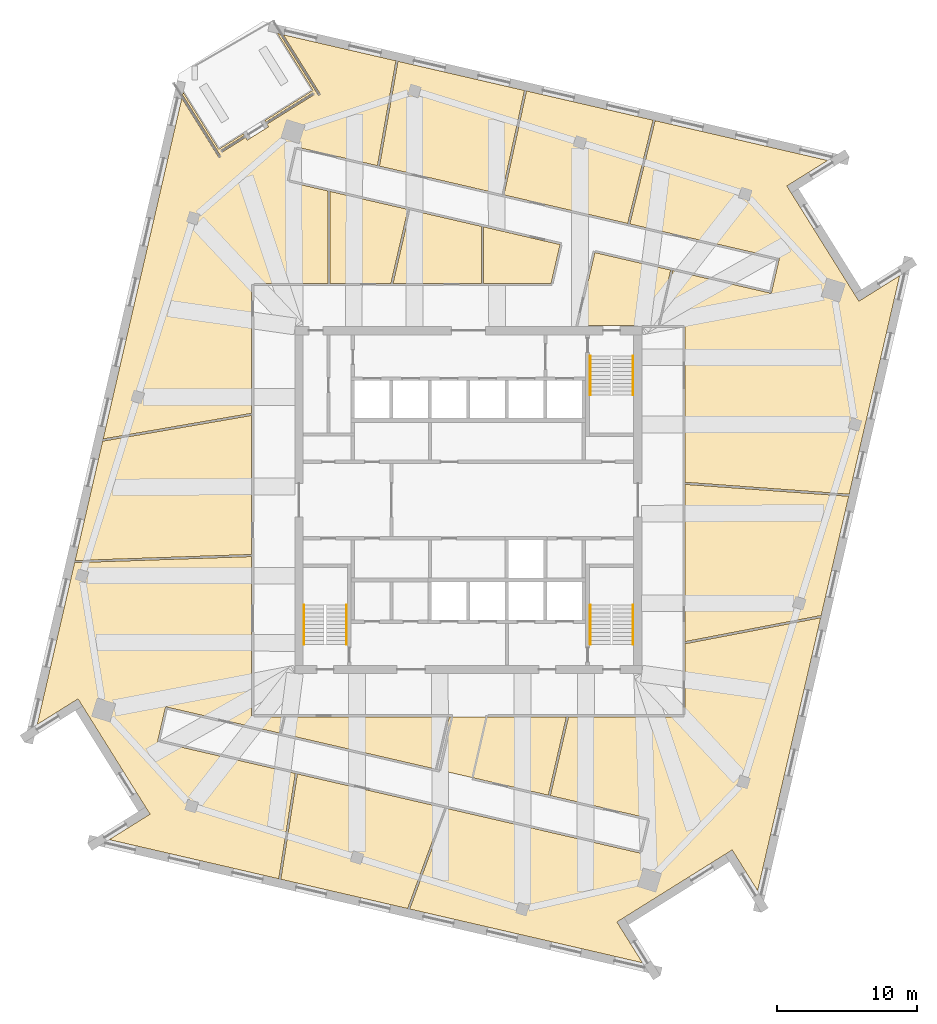
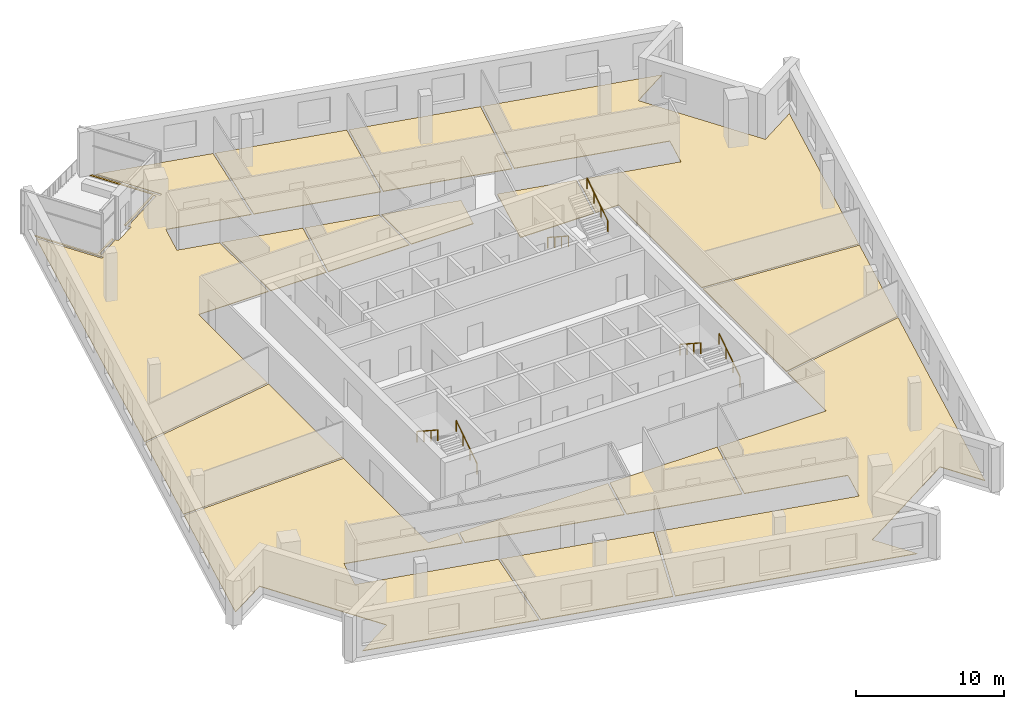
# One storey, part 12 of 14: 15 coverings, 6 railings.
"""IFC4 building model written with IfcOpenShell, lengths in metres."""

from ifc_helpers import new_model, si_unit, direction, frame, origin, origin_2d, place, context, subcontext, project, spatial, polyline, circle, outline, extrude, material, layer, layer_set, type_object, element, save


model = new_model("IFC4")

# Units and contexts
model_context = context("Model", 3, precision=1e-05, world=origin(), true_north=direction((0.0, 1.0)))
body_context = subcontext(model_context, "Body", "Model", "MODEL_VIEW")
ifc_project = project(units=[si_unit("LENGTHUNIT", "METRE"), si_unit("AREAUNIT", "SQUARE_METRE"), si_unit("VOLUMEUNIT", "CUBIC_METRE"), si_unit("PLANEANGLEUNIT", "RADIAN"), si_unit("MASSUNIT", "GRAM", prefix="KILO")], contexts=[model_context])

# Site, building, storey
site_placement = place(None, origin())
site = spatial("IfcSite", under=ifc_project, at=site_placement, CompositionType="ELEMENT")
building_placement = place(site_placement, origin())
building = spatial("IfcBuilding", under=site, at=building_placement, Name="Dilmun Exchange Tower", CompositionType="ELEMENT")
storey_placement = place(building_placement, frame((0.0, 0.0, 340.5)))
storey = spatial("IfcBuildingStorey", under=building, at=storey_placement, Name="L81", CompositionType="ELEMENT", Elevation=340.5)

# Coverings
ifc_material_1 = material(Name="Carpet floor finish 50")
ifc_layer_1 = layer(ifc_material_1, 0.050048828125)
ifc_layer_set_1 = layer_set([ifc_layer_1], Name="Carpet floor finish 50")
covering_type_1 = type_object("IfcCoveringType", Name="Carpet floor finish 50", PredefinedType="FLOORING", material=ifc_layer_set_1)
covering_1_placement = place(storey_placement, origin())
element("IfcCovering", 1, at=covering_1_placement, inside=storey, type_object=covering_type_1, Name="Carpet floor finish 50 Garden lounge", PredefinedType="FLOORING", context=body_context, shape_type="SweptSolid", body=[
    extrude(outline(polyline([(-17.828369140625, 25.053955078125), (-16.07958984375, 26.146728515625), (-16.00390625, 26.025390625), (-17.689208984375, 24.972412109375), (-17.689208984375, 24.972412109375), (-17.689453125, 24.97216796875), (-17.689453125, 24.97216796875), (-17.689697265625, 24.971923828125), (-17.689697265625, 24.9716796875), (-17.689697265625, 24.9716796875), (-17.68994140625, 24.971435546875), (-17.68994140625, 24.97119140625), (-17.68994140625, 24.970947265625), (-17.68994140625, 24.970703125), (-17.68994140625, 24.970703125), (-17.68994140625, 24.970458984375), (-17.68994140625, 24.97021484375), (-17.68994140625, 24.969970703125), (-17.689697265625, 24.969970703125), (-17.689697265625, 24.9697265625), (-17.60498046875, 24.833984375), (-17.604736328125, 24.833740234375), (-17.604736328125, 24.833740234375), (-17.6044921875, 24.83349609375), (-17.6044921875, 24.83349609375), (-17.604248046875, 24.833251953125), (-17.60400390625, 24.833251953125), (-17.603759765625, 24.833251953125), (-17.603759765625, 24.8330078125), (-17.603515625, 24.8330078125), (-17.603271484375, 24.8330078125), (-17.60302734375, 24.8330078125), (-17.602783203125, 24.8330078125), (-17.602783203125, 24.8330078125), (-17.6025390625, 24.833251953125), (-17.602294921875, 24.833251953125), (-17.60205078125, 24.83349609375), (-15.9169921875, 25.88623046875), (-15.801513671875, 25.701416015625), (-15.80126953125, 25.701416015625), (-15.80126953125, 25.701171875), (-15.801025390625, 25.700927734375), (-15.80078125, 25.700927734375), (-15.80078125, 25.70068359375), (-15.800537109375, 25.70068359375), (-15.80029296875, 25.70068359375), (-15.80029296875, 25.700439453125), (-15.800048828125, 25.700439453125), (-15.7998046875, 25.700439453125), (-15.799560546875, 25.700439453125), (-15.79931640625, 25.700439453125), (-15.79931640625, 25.70068359375), (-15.799072265625, 25.70068359375), (-15.798828125, 25.70068359375), (-15.798583984375, 25.70068359375), (-14.272216796875, 26.65478515625), (-14.27197265625, 26.65478515625), (-14.271728515625, 26.65478515625), (-14.271728515625, 26.655029296875), (-14.271484375, 26.6552734375), (-14.271484375, 26.655517578125), (-14.271484375, 26.655517578125), (-14.271240234375, 26.65576171875), (-14.271240234375, 26.656005859375), (-14.271240234375, 26.656005859375), (-14.271240234375, 26.65625), (-14.271240234375, 26.656494140625), (-14.271240234375, 26.65673828125), (-14.271240234375, 26.656982421875), (-14.271240234375, 26.656982421875), (-14.271484375, 26.6572265625), (-14.271484375, 26.657470703125), (-14.386962890625, 26.84228515625), (-11.005859375, 28.955078125), (-11.005615234375, 28.955322265625), (-11.005615234375, 28.955322265625), (-11.00537109375, 28.95556640625), (-11.00537109375, 28.955810546875), (-11.005126953125, 28.955810546875), (-11.005126953125, 28.9560546875), (-11.0048828125, 28.956298828125), (-11.0048828125, 28.956298828125), (-11.0048828125, 28.95654296875), (-11.0048828125, 28.956787109375), (-11.0048828125, 28.95703125), (-11.0048828125, 28.957275390625), (-11.0048828125, 28.95751953125), (-11.0048828125, 28.95751953125), (-11.005126953125, 28.957763671875), (-11.005126953125, 28.9580078125), (-11.090087890625, 29.093505859375), (-11.090087890625, 29.09375), (-11.090087890625, 29.093994140625), (-11.09033203125, 29.093994140625), (-11.090576171875, 29.09423828125), (-11.0908203125, 29.09423828125), (-11.0908203125, 29.094482421875), (-11.091064453125, 29.094482421875), (-11.09130859375, 29.094482421875), (-11.09130859375, 29.094482421875), (-11.091552734375, 29.094482421875), (-11.091796875, 29.094482421875), (-11.092041015625, 29.094482421875), (-11.09228515625, 29.094482421875), (-11.09228515625, 29.094482421875), (-11.092529296875, 29.09423828125), (-11.0927734375, 29.09423828125), (-14.47412109375, 26.9814453125), (-14.5498046875, 27.102783203125), (-11.10498046875, 29.255126953125), (-13.64599609375, 33.32177734375), (-13.448974609375, 33.276123046875), (-10.705322265625, 28.8857421875), (-10.705322265625, 28.885498046875), (-10.705078125, 28.885498046875), (-10.705078125, 28.88525390625), (-10.704833984375, 28.88525390625), (-10.70458984375, 28.885009765625), (-10.70458984375, 28.885009765625), (-10.704345703125, 28.885009765625), (-10.7041015625, 28.885009765625), (-10.7041015625, 28.884765625), (-10.703857421875, 28.884765625), (-10.70361328125, 28.884765625), (-10.703369140625, 28.884765625), (-10.703125, 28.885009765625), (-10.702880859375, 28.885009765625), (-10.702880859375, 28.885009765625), (-10.70263671875, 28.885009765625), (-10.56689453125, 28.969970703125), (-10.56689453125, 28.969970703125), (-10.566650390625, 28.97021484375), (-10.56640625, 28.97021484375), (-10.56640625, 28.970458984375), (-10.56640625, 28.970703125), (-10.566162109375, 28.970703125), (-10.566162109375, 28.970947265625), (-10.566162109375, 28.97119140625), (-10.566162109375, 28.97119140625), (-10.566162109375, 28.971435546875), (-10.566162109375, 28.9716796875), (-10.566162109375, 28.971923828125), (-10.566162109375, 28.97216796875), (-10.566162109375, 28.972412109375), (-10.56640625, 28.972412109375), (-10.56640625, 28.97265625), (-13.222900390625, 33.22412109375), (-5.1787109375, 31.366943359375), (-6.4990234375, 23.875244140625), (-12.391357421875, 25.235595703125), (-12.96484375, 22.7509765625), (-10.03466796875, 22.074462890625), (-10.03466796875, 15.47509765625), (-15.47509765625, 15.47509765625), (-15.47509765625, 6.197021484375), (-26.0849609375, 4.36376953125), (-20.467041015625, 28.697509765625), (-17.810546875, 24.446044921875), (-17.810302734375, 24.44580078125), (-17.810302734375, 24.44580078125), (-17.810302734375, 24.445556640625), (-17.81005859375, 24.445556640625), (-17.809814453125, 24.4453125), (-17.809814453125, 24.4453125), (-17.8095703125, 24.4453125), (-17.809326171875, 24.4453125), (-17.80908203125, 24.445068359375), (-17.808837890625, 24.445068359375), (-17.80859375, 24.445068359375), (-17.80859375, 24.445068359375), (-17.808349609375, 24.4453125), (-17.80810546875, 24.4453125), (-17.80810546875, 24.4453125), (-17.807861328125, 24.4453125), (-17.672119140625, 24.5302734375), (-17.671875, 24.5302734375), (-17.671875, 24.530517578125), (-17.671630859375, 24.530517578125), (-17.67138671875, 24.53076171875), (-17.67138671875, 24.531005859375), (-17.67138671875, 24.531005859375), (-17.67138671875, 24.53125), (-17.671142578125, 24.531494140625), (-17.671142578125, 24.531494140625), (-17.671142578125, 24.53173828125), (-17.671142578125, 24.531982421875), (-17.671142578125, 24.5322265625), (-17.671142578125, 24.532470703125), (-17.67138671875, 24.53271484375), (-17.67138671875, 24.53271484375), (-17.67138671875, 24.532958984375), (-20.414794921875, 28.92333984375), (-20.369384765625, 29.120361328125), (-17.828369140625, 25.053955078125)])), origin(), (0.0, 0.0, 1.0), 0.050048828125),
])
covering_2_placement = place(storey_placement, origin())
element("IfcCovering", 2, at=covering_2_placement, inside=storey, type_object=covering_type_1, Name="Carpet floor finish 50 Headquarters office 1", PredefinedType="FLOORING", context=body_context, shape_type="SweptSolid", body=[
    extrude(outline(polyline([(-12.215576171875, -19.5546875), (-1.699951171875, -21.982421875), (-4.341796875, -29.1689453125), (-13.39794921875, -27.078125), (-12.215576171875, -19.5546875)])), origin(), (0.0, 0.0, 1.0), 0.050048828125),
])
covering_3_placement = place(storey_placement, origin())
element("IfcCovering", 3, at=covering_3_placement, inside=storey, type_object=covering_type_1, Name="Carpet floor finish 50 Prayer room", PredefinedType="FLOORING", context=body_context, shape_type="SweptSolid", body=[
    extrude(outline(polyline([(-5.537841796875, 15.47509765625), (-9.884765625, 15.47509765625), (-9.884765625, 22.039794921875), (-4.319091796875, 20.7548828125), (-5.537841796875, 15.47509765625)])), origin(), (0.0, 0.0, 1.0), 0.050048828125),
])
covering_4_placement = place(storey_placement, origin())
element("IfcCovering", 4, at=covering_4_placement, inside=storey, type_object=covering_type_1, Name="Carpet floor finish 50 Executive office", PredefinedType="FLOORING", context=body_context, shape_type="SweptSolid", body=[
    extrude(outline(polyline([(-13.335205078125, -16.67919921875), (-13.05712890625, -15.47509765625), (-1.514404296875, -15.47509765625), (-2.37646484375, -19.208984375), (-13.335205078125, -16.67919921875)])), origin(), (0.0, 0.0, 1.0), 0.050048828125),
])
covering_5_placement = place(storey_placement, origin())
element("IfcCovering", 5, at=covering_5_placement, inside=storey, type_object=covering_type_1, Name="Carpet floor finish 50 Break-out lounge 1", PredefinedType="FLOORING", context=body_context, shape_type="SweptSolid", body=[
    extrude(outline(polyline([(0.91552734375, 15.47509765625), (-5.384033203125, 15.47509765625), (-4.1728515625, 20.72119140625), (0.91552734375, 19.54638671875), (0.91552734375, 15.47509765625)])), origin(), (0.0, 0.0, 1.0), 0.050048828125),
])
covering_6_placement = place(storey_placement, origin())
element("IfcCovering", 6, at=covering_6_placement, inside=storey, type_object=covering_type_1, Name="Carpet floor finish 50 Break-out lounge 2", PredefinedType="FLOORING", context=body_context, shape_type="SweptSolid", body=[
    extrude(outline(polyline([(-2.23046875, -19.242919921875), (-1.360595703125, -15.47509765625), (6.99560546875, -15.47509765625), (5.702880859375, -21.074462890625), (-2.23046875, -19.242919921875)])), origin(), (0.0, 0.0, 1.0), 0.050048828125),
])
covering_7_placement = place(storey_placement, origin())
element("IfcCovering", 7, at=covering_7_placement, inside=storey, type_object=covering_type_1, Name="Carpet floor finish 50 Headquarters office 2", PredefinedType="FLOORING", context=body_context, shape_type="SweptSolid", body=[
    extrude(outline(polyline([(-1.552490234375, -22.016357421875), (12.391357421875, -25.235595703125), (12.96484375, -22.7509765625), (5.84912109375, -21.108154296875), (7.149658203125, -15.47509765625), (15.47509765625, -15.47509765625), (15.47509765625, -10.25927734375), (25.15283203125, -8.40087890625), (20.65185546875, -27.89697265625), (18.8330078125, -24.986328125), (18.8330078125, -24.986083984375), (18.8330078125, -24.986083984375), (18.832763671875, -24.98583984375), (18.83251953125, -24.985595703125), (18.83251953125, -24.985595703125), (18.832275390625, -24.985595703125), (18.83203125, -24.9853515625), (18.831787109375, -24.9853515625), (18.831787109375, -24.9853515625), (18.83154296875, -24.9853515625), (18.831298828125, -24.9853515625), (18.8310546875, -24.9853515625), (18.830810546875, -24.9853515625), (18.830810546875, -24.985595703125), (18.83056640625, -24.985595703125), (18.830322265625, -24.985595703125), (18.32177734375, -25.303466796875), (18.321533203125, -25.303466796875), (18.321533203125, -25.3037109375), (11.113525390625, -29.8076171875), (11.11328125, -29.8076171875), (11.11328125, -29.8076171875), (11.113037109375, -29.807861328125), (10.604248046875, -30.125732421875), (10.60400390625, -30.1259765625), (10.60400390625, -30.1259765625), (10.603759765625, -30.126220703125), (10.603759765625, -30.126220703125), (10.603515625, -30.12646484375), (10.603515625, -30.126708984375), (10.603515625, -30.126708984375), (10.603271484375, -30.126953125), (10.603271484375, -30.127197265625), (10.603271484375, -30.12744140625), (10.603271484375, -30.127685546875), (10.603271484375, -30.127685546875), (10.603515625, -30.1279296875), (10.603515625, -30.128173828125), (10.603515625, -30.12841796875), (10.603515625, -30.12841796875), (12.42236328125, -33.039306640625), (-4.1943359375, -29.202880859375), (-1.552490234375, -22.016357421875)])), origin(), (0.0, 0.0, 1.0), 0.050048828125),
])
covering_8_placement = place(storey_placement, origin())
element("IfcCovering", 8, at=covering_8_placement, inside=storey, type_object=covering_type_1, Name="Carpet floor finish 50 Headquarters office 3", PredefinedType="FLOORING", context=body_context, shape_type="SweptSolid", body=[
    extrude(outline(polyline([(15.47509765625, 1.26953125), (15.47509765625, 12.47509765625), (13.685791015625, 12.47509765625), (14.589599609375, 16.389404296875), (21.626220703125, 14.764892578125), (22.19970703125, 17.24951171875), (11.518310546875, 19.715576171875), (13.32958984375, 27.093994140625), (25.648681640625, 24.25), (22.738037109375, 22.430908203125), (22.73779296875, 22.430908203125), (22.73779296875, 22.430908203125), (22.737548828125, 22.4306640625), (22.7373046875, 22.430419921875), (22.7373046875, 22.430419921875), (22.7373046875, 22.43017578125), (22.737060546875, 22.429931640625), (22.737060546875, 22.4296875), (22.737060546875, 22.4296875), (22.737060546875, 22.429443359375), (22.737060546875, 22.42919921875), (22.737060546875, 22.428955078125), (22.737060546875, 22.4287109375), (22.7373046875, 22.4287109375), (22.7373046875, 22.428466796875), (22.7373046875, 22.42822265625), (23.055419921875, 21.91943359375), (23.055419921875, 21.919189453125), (23.055419921875, 21.919189453125), (27.5595703125, 14.711181640625), (27.559814453125, 14.7109375), (27.559814453125, 14.710693359375), (27.877685546875, 14.2021484375), (27.877685546875, 14.2021484375), (27.877685546875, 14.201904296875), (27.8779296875, 14.201904296875), (27.878173828125, 14.20166015625), (27.87841796875, 14.201416015625), (27.87841796875, 14.201416015625), (27.878662109375, 14.201416015625), (27.87890625, 14.201416015625), (27.87890625, 14.201416015625), (27.879150390625, 14.201416015625), (27.87939453125, 14.201416015625), (27.879638671875, 14.201416015625), (27.8798828125, 14.201416015625), (27.8798828125, 14.201416015625), (27.880126953125, 14.201416015625), (27.88037109375, 14.20166015625), (30.791015625, 16.020263671875), (27.189208984375, 0.418701171875), (15.47509765625, 1.26953125)])), origin(), (0.0, 0.0, 1.0), 0.050048828125),
])
ifc_material_2 = material(Name="Rubber floor finish 50")
ifc_layer_2 = layer(ifc_material_2, 0.050048828125)
ifc_layer_set_2 = layer_set([ifc_layer_2], Name="Rubber floor finish 50")
covering_type_2 = type_object("IfcCoveringType", Name="Rubber floor finish 50", PredefinedType="FLOORING", material=ifc_layer_set_2)
covering_9_placement = place(storey_placement, origin())
element("IfcCovering", 9, at=covering_9_placement, inside=storey, type_object=covering_type_2, Name="Rubber floor finish 50 Fitness room 1", PredefinedType="FLOORING", context=body_context, shape_type="SweptSolid", body=[
    extrude(outline(polyline([(-15.47509765625, 6.044921875), (-15.47509765625, -3.885498046875), (-28.089599609375, -4.31884765625), (-26.12158203125, 4.205322265625), (-15.47509765625, 6.044921875)])), origin(), (0.0, 0.0, 1.0), 0.050048828125),
])
covering_10_placement = place(storey_placement, origin())
element("IfcCovering", 10, at=covering_10_placement, inside=storey, type_object=covering_type_2, Name="Rubber floor finish 50 Fitness room 2", PredefinedType="FLOORING", context=body_context, shape_type="SweptSolid", body=[
    extrude(outline(polyline([(2.388671875, 21.8232421875), (-6.352783203125, 23.841552734375), (-5.0322265625, 31.3330078125), (3.9990234375, 29.248046875), (2.388671875, 21.8232421875)])), origin(), (0.0, 0.0, 1.0), 0.050048828125),
])
covering_11_placement = place(storey_placement, origin())
element("IfcCovering", 11, at=covering_11_placement, inside=storey, type_object=covering_type_2, Name="Rubber floor finish 50 Fitness room 3", PredefinedType="FLOORING", context=body_context, shape_type="SweptSolid", body=[
    extrude(outline(polyline([(15.47509765625, -10.1064453125), (15.47509765625, 1.119140625), (27.15478515625, 0.27099609375), (25.189697265625, -8.2412109375), (15.47509765625, -10.1064453125)])), origin(), (0.0, 0.0, 1.0), 0.050048828125),
])

# Railings
ifc_material_3 = material(Name="Stainless steel", Category="steel")
railing_type = type_object("IfcRailingType", Name="Stair handrail 900", PredefinedType="HANDRAIL", material=ifc_material_3)
railing_1_placement = place(storey_placement, frame((8.699951171875, 10.300048828125, 0.181884765625)))
element("IfcRailing", 12, at=railing_1_placement, inside=storey, type_object=railing_type, Name="L81 ST1 stair handrail 1", PredefinedType="HANDRAIL", context=body_context, shape_type="SweptSolid", body=[
    extrude(circle(Radius=0.02392578125, at=origin_2d()), frame((0.0, 0.0, 0.8759765625), z_axis=(0.0, -0.838705829183, 0.544584733623), x_axis=(1.0, 0.0, 0.0)), (0.0, 0.0, 1.0), 3.338623046875),
    extrude(circle(Radius=0.02099609375, at=origin_2d()), origin(), (0.0, 0.0, 1.0), 0.851806640625),
    extrude(circle(Radius=0.02099609375, at=origin_2d()), frame((0.0, -0.933349609375, 0.60595703125)), (0.0, 0.0, 1.0), 0.851806640625),
    extrude(circle(Radius=0.02099609375, at=origin_2d()), frame((0.0, -1.86669921875, 1.212158203125)), (0.0, 0.0, 1.0), 0.851806640625),
    extrude(circle(Radius=0.02099609375, at=origin_2d()), frame((0.0, -2.800048828125, 1.818115234375)), (0.0, 0.0, 1.0), 0.851806640625),
])
for number, where, name in (
    (13, (11.75, 7.5, 2.181884765625), "L81 ST1 stair handrail 2"),
    (14, (-8.699951171875, -10.300048828125, 0.181884765625), "L81 ST2 stair handrail 1"),
):
    element("IfcRailing", number, at=place(storey_placement, frame(where)), inside=storey, type_object=railing_type, Name=name, PredefinedType="HANDRAIL", context=body_context, shape_type="SweptSolid", body=[
        extrude(circle(Radius=0.02392578125, at=origin_2d()), frame((0.0, 0.0, 0.8759765625), z_axis=(0.0, 0.838705829183, 0.544584733623), x_axis=(-1.0, 0.0, 0.0)), (0.0, 0.0, 1.0), 3.338623046875),
        extrude(circle(Radius=0.02099609375, at=origin_2d()), origin(), (0.0, 0.0, 1.0), 0.851806640625),
        extrude(circle(Radius=0.02099609375, at=origin_2d()), frame((0.0, 0.933349609375, 0.60595703125)), (0.0, 0.0, 1.0), 0.851806640625),
        extrude(circle(Radius=0.02099609375, at=origin_2d()), frame((0.0, 1.86669921875, 1.212158203125)), (0.0, 0.0, 1.0), 0.851806640625),
        extrude(circle(Radius=0.02099609375, at=origin_2d()), frame((0.0, 2.800048828125, 1.818115234375)), (0.0, 0.0, 1.0), 0.851806640625),
    ])
railing_2_placement = place(storey_placement, frame((-11.75, -7.5, 2.181884765625)))
element("IfcRailing", 15, at=railing_2_placement, inside=storey, type_object=railing_type, Name="L81 ST2 stair handrail 2", PredefinedType="HANDRAIL", context=body_context, shape_type="SweptSolid", body=[
    extrude(circle(Radius=0.02392578125, at=origin_2d()), frame((0.0, 0.0, 0.8759765625), z_axis=(0.0, -0.838705829183, 0.544584733623), x_axis=(1.0, 0.0, 0.0)), (0.0, 0.0, 1.0), 3.338623046875),
    extrude(circle(Radius=0.02099609375, at=origin_2d()), origin(), (0.0, 0.0, 1.0), 0.851806640625),
    extrude(circle(Radius=0.02099609375, at=origin_2d()), frame((0.0, -0.933349609375, 0.60595703125)), (0.0, 0.0, 1.0), 0.851806640625),
    extrude(circle(Radius=0.02099609375, at=origin_2d()), frame((0.0, -1.86669921875, 1.212158203125)), (0.0, 0.0, 1.0), 0.851806640625),
    extrude(circle(Radius=0.02099609375, at=origin_2d()), frame((0.0, -2.800048828125, 1.818115234375)), (0.0, 0.0, 1.0), 0.851806640625),
])
railing_3_placement = place(storey_placement, frame((11.75, -10.300048828125, 0.181884765625)))
element("IfcRailing", 16, at=railing_3_placement, inside=storey, type_object=railing_type, Name="L81 ST3 stair handrail 1", PredefinedType="HANDRAIL", context=body_context, shape_type="SweptSolid", body=[
    extrude(circle(Radius=0.02392578125, at=origin_2d()), frame((0.0, 0.0, 0.8759765625), z_axis=(0.0, 0.838705829183, 0.544584733623), x_axis=(-1.0, 0.0, 0.0)), (0.0, 0.0, 1.0), 3.338623046875),
    extrude(circle(Radius=0.02099609375, at=origin_2d()), origin(), (0.0, 0.0, 1.0), 0.851806640625),
    extrude(circle(Radius=0.02099609375, at=origin_2d()), frame((0.0, 0.933349609375, 0.60595703125)), (0.0, 0.0, 1.0), 0.851806640625),
    extrude(circle(Radius=0.02099609375, at=origin_2d()), frame((0.0, 1.86669921875, 1.212158203125)), (0.0, 0.0, 1.0), 0.851806640625),
    extrude(circle(Radius=0.02099609375, at=origin_2d()), frame((0.0, 2.800048828125, 1.818115234375)), (0.0, 0.0, 1.0), 0.851806640625),
])
railing_4_placement = place(storey_placement, frame((8.699951171875, -7.5, 2.181884765625)))
element("IfcRailing", 17, at=railing_4_placement, inside=storey, type_object=railing_type, Name="L81 ST3 stair handrail 2", PredefinedType="HANDRAIL", context=body_context, shape_type="SweptSolid", body=[
    extrude(circle(Radius=0.02392578125, at=origin_2d()), frame((0.0, 0.0, 0.8759765625), z_axis=(0.0, -0.838705829183, 0.544584733623), x_axis=(1.0, 0.0, 0.0)), (0.0, 0.0, 1.0), 3.338623046875),
    extrude(circle(Radius=0.02099609375, at=origin_2d()), origin(), (0.0, 0.0, 1.0), 0.851806640625),
    extrude(circle(Radius=0.02099609375, at=origin_2d()), frame((0.0, -0.933349609375, 0.60595703125)), (0.0, 0.0, 1.0), 0.851806640625),
    extrude(circle(Radius=0.02099609375, at=origin_2d()), frame((0.0, -1.86669921875, 1.212158203125)), (0.0, 0.0, 1.0), 0.851806640625),
    extrude(circle(Radius=0.02099609375, at=origin_2d()), frame((0.0, -2.800048828125, 1.818115234375)), (0.0, 0.0, 1.0), 0.851806640625),
])

# Coverings
ifc_material_4 = material(Name="Stone floor finish 50", Category="masonry")
ifc_layer_3 = layer(ifc_material_4, 0.050048828125)
ifc_layer_set_3 = layer_set([ifc_layer_3], Name="Stone floor finish 50")
covering_type_3 = type_object("IfcCoveringType", Name="Stone floor finish 50", PredefinedType="FLOORING", material=ifc_layer_set_3)
covering_12_placement = place(storey_placement, origin())
element("IfcCovering", 18, at=covering_12_placement, inside=storey, type_object=covering_type_3, Name="Stone floor finish 50 Reception 1", PredefinedType="FLOORING", context=body_context, shape_type="SweptSolid", body=[
    extrude(outline(polyline([(5.900390625, 15.47509765625), (1.0654296875, 15.47509765625), (1.0654296875, 19.51171875), (6.54052734375, 18.247802734375), (5.900390625, 15.47509765625)])), origin(), (0.0, 0.0, 1.0), 0.050048828125),
])
covering_13_placement = place(storey_placement, origin())
element("IfcCovering", 19, at=covering_13_placement, inside=storey, type_object=covering_type_3, Name="Stone floor finish 50 Reception 2", PredefinedType="FLOORING", context=body_context, shape_type="SweptSolid", body=[
    extrude(outline(polyline([(2.534912109375, 21.78955078125), (4.145263671875, 29.21435546875), (13.18359375, 27.127685546875), (11.3720703125, 19.74951171875), (2.534912109375, 21.78955078125)])), origin(), (0.0, 0.0, 1.0), 0.050048828125),
])
ifc_material_5 = material(Name="Tile floor finish 50")
ifc_layer_4 = layer(ifc_material_5, 0.050048828125)
ifc_layer_set_4 = layer_set([ifc_layer_4], Name="Tile floor finish 50")
covering_type_4 = type_object("IfcCoveringType", Name="Tile floor finish 50", PredefinedType="FLOORING", material=ifc_layer_set_4)
covering_14_placement = place(storey_placement, origin())
element("IfcCovering", 20, at=covering_14_placement, inside=storey, type_object=covering_type_4, Name="Tile floor finish 50 Staff restaurant", PredefinedType="FLOORING", context=body_context, shape_type="SweptSolid", body=[
    extrude(outline(polyline([(-12.362060546875, -19.520751953125), (-13.544677734375, -27.044189453125), (-25.648681640625, -24.25), (-22.738037109375, -22.430908203125), (-22.73779296875, -22.430908203125), (-22.73779296875, -22.430908203125), (-22.737548828125, -22.4306640625), (-22.7373046875, -22.430419921875), (-22.7373046875, -22.430419921875), (-22.7373046875, -22.43017578125), (-22.737060546875, -22.429931640625), (-22.737060546875, -22.4296875), (-22.737060546875, -22.4296875), (-22.737060546875, -22.429443359375), (-22.737060546875, -22.42919921875), (-22.737060546875, -22.428955078125), (-22.737060546875, -22.4287109375), (-22.7373046875, -22.4287109375), (-22.7373046875, -22.428466796875), (-22.7373046875, -22.42822265625), (-23.055419921875, -21.91943359375), (-23.055419921875, -21.919189453125), (-23.055419921875, -21.919189453125), (-27.5595703125, -14.711181640625), (-27.559814453125, -14.7109375), (-27.559814453125, -14.710693359375), (-27.877685546875, -14.2021484375), (-27.877685546875, -14.2021484375), (-27.877685546875, -14.201904296875), (-27.8779296875, -14.201904296875), (-27.878173828125, -14.20166015625), (-27.87841796875, -14.201416015625), (-27.87841796875, -14.201416015625), (-27.878662109375, -14.201416015625), (-27.87890625, -14.201416015625), (-27.87890625, -14.201416015625), (-27.879150390625, -14.201416015625), (-27.87939453125, -14.201416015625), (-27.879638671875, -14.201416015625), (-27.8798828125, -14.201416015625), (-27.8798828125, -14.201416015625), (-27.880126953125, -14.201416015625), (-27.88037109375, -14.20166015625), (-30.791015625, -16.020263671875), (-28.12451171875, -4.47021484375), (-15.47509765625, -4.035400390625), (-15.47509765625, -15.47509765625), (-13.211181640625, -15.47509765625), (-13.481201171875, -16.6455078125), (-21.626220703125, -14.764892578125), (-22.19970703125, -17.24951171875), (-12.362060546875, -19.520751953125)])), origin(), (0.0, 0.0, 1.0), 0.050048828125),
])
covering_15_placement = place(storey_placement, origin())
element("IfcCovering", 21, at=covering_15_placement, inside=storey, type_object=covering_type_4, Name="Tile floor finish 50 Pantry", PredefinedType="FLOORING", context=body_context, shape_type="SweptSolid", body=[
    extrude(outline(polyline([(14.443603515625, 16.423095703125), (13.531982421875, 12.47509765625), (7.82470703125, 12.47509765625), (9.025146484375, 17.674072265625), (14.443603515625, 16.423095703125)])), origin(), (0.0, 0.0, 1.0), 0.050048828125),
])

save(model, "model.ifc")
